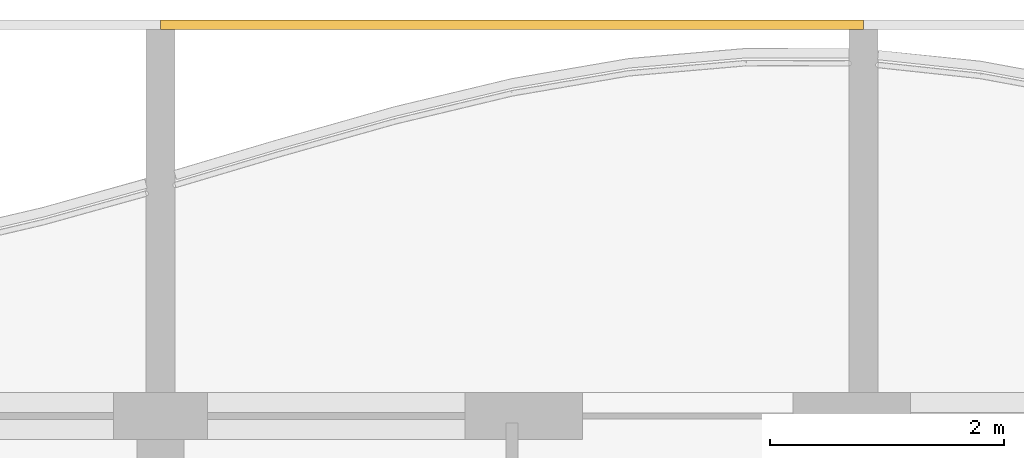
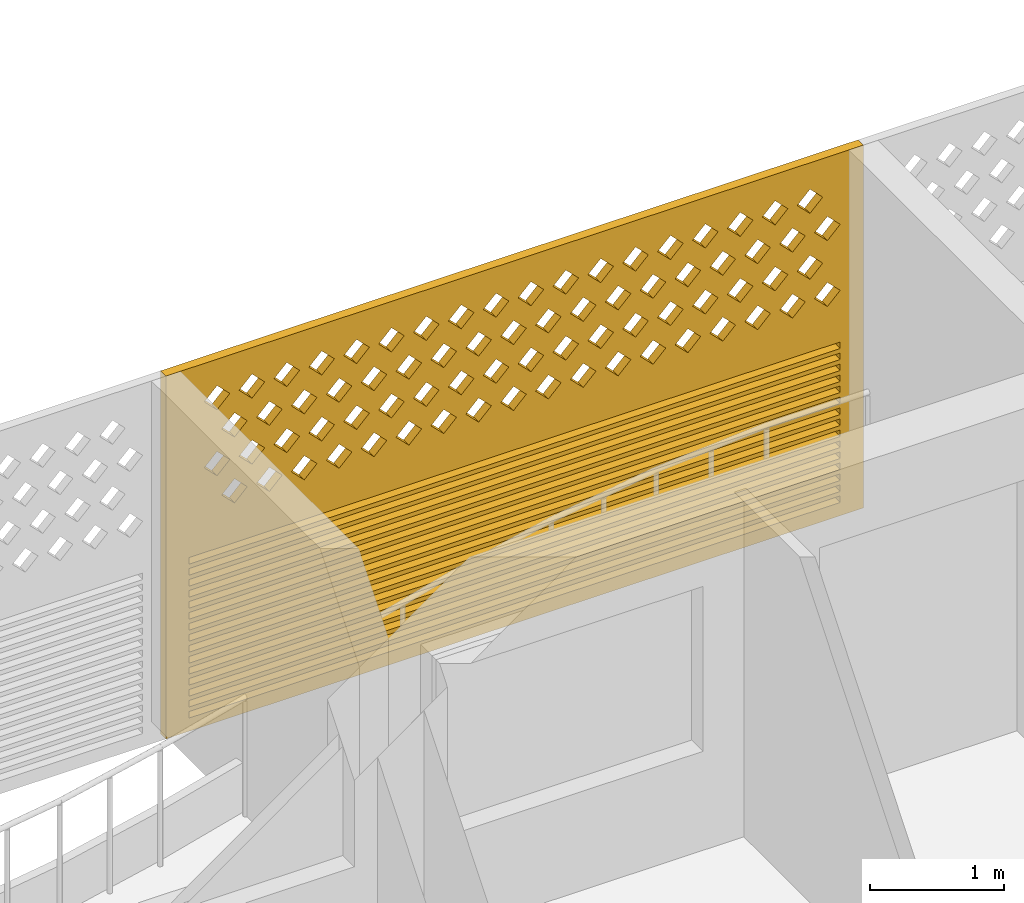
# One storey, part 36 of 40: 1 covering.
"""IFC4 building model written with IfcOpenShell, lengths in metres."""

import ifcopenshell
import ifcopenshell.guid

model = None  # the IFC model being written
_history = None  # IfcOwnerHistory: only IFC2X3 demands one
_inside = {}  # id of a spatial element -> (the spatial element, [elements in it])
_under = {}  # id of a project, library or spatial element -> (it, [spatial elements below it])
_declared = {}  # id of a project -> (the project, [libraries it declares])
_typed = {}  # id of a type object -> (the type object, [elements of that type])
_made_of = {}  # id of a material, layer set ... -> (it, [elements and type objects made of it])


def new_model(schema):
    """Start an empty IFC model of exactly this schema.

    Asked for "IFC4X3", IfcOpenShell would pick the latest addendum, in which some entities
    have other attributes; the version numbers below select the first issue.
    IFC2X3 requires an IfcOwnerHistory on every rooted entity: one is made here for all.
    """
    global model, _history
    if schema == "IFC4X3":
        model = ifcopenshell.file(schema_version=(4, 3, 0, 0))
    else:
        model = ifcopenshell.file(schema=schema)
    _inside.clear()
    _under.clear()
    _declared.clear()
    _typed.clear()
    _made_of.clear()
    _history = None
    if model.schema == "IFC2X3":
        org = make("IfcOrganization", Name="unknown")
        user = make(
            "IfcPersonAndOrganization",
            ThePerson=make("IfcPerson", FamilyName="unknown"),
            TheOrganization=org,
        )
        app = make(
            "IfcApplication",
            ApplicationDeveloper=org,
            Version="unknown",
            ApplicationFullName="unknown",
            ApplicationIdentifier="unknown",
        )
        _history = make(
            "IfcOwnerHistory",
            OwningUser=user,
            OwningApplication=app,
            ChangeAction="ADDED",
            CreationDate=0,
        )
    return model


def make(cls, **values):
    """One entity of the class cls with the attributes given. An attribute that is None is left unset."""
    return model.create_entity(
        cls, **{name: value for name, value in values.items() if value is not None}
    )


def rooted(cls, **values):
    """An entity with a GlobalId (a new one), such as an element, a storey or a relation."""
    return make(cls, GlobalId=ifcopenshell.guid.new(), OwnerHistory=_history, **values)


def si_unit(unit_type, name, prefix=None):
    """IfcSIUnit, for example si_unit("LENGTHUNIT", "METRE", prefix="MILLI")."""
    return make("IfcSIUnit", UnitType=unit_type, Prefix=prefix, Name=name)


def assignment(units):
    """IfcUnitAssignment: the units of a project."""
    return None if units is None else make("IfcUnitAssignment", Units=units)


def point(xyz):
    """IfcCartesianPoint."""
    return None if xyz is None else make("IfcCartesianPoint", Coordinates=xyz)


def direction(xyz):
    """IfcDirection."""
    return None if xyz is None else make("IfcDirection", DirectionRatios=xyz)


def frame(location, z_axis=None, x_axis=None):
    """IfcAxis2Placement3D, a coordinate frame: its origin and axes. An axis left out is left unset."""
    return make(
        "IfcAxis2Placement3D",
        Location=point(location),
        Axis=direction(z_axis),
        RefDirection=direction(x_axis),
    )


def origin():
    """The frame at (0, 0, 0) with its axes left unset."""
    return frame((0.0, 0.0, 0.0))


def place(relative_to, where):
    """IfcLocalPlacement: puts the frame where relative to a parent placement (None: the world)."""
    return make(
        "IfcLocalPlacement", PlacementRelTo=relative_to, RelativePlacement=where
    )


def context(
    kind, dimensions, precision=None, world=None, true_north=None, identifier=None
):
    """IfcGeometricRepresentationContext, for example the 3D "Model" context."""
    return make(
        "IfcGeometricRepresentationContext",
        ContextIdentifier=identifier,
        ContextType=kind,
        CoordinateSpaceDimension=dimensions,
        Precision=precision,
        WorldCoordinateSystem=world,
        TrueNorth=true_north,
    )


def subcontext(parent, identifier, kind, view, scale=None):
    """IfcGeometricRepresentationSubContext, for example "Body" below "Model"."""
    return make(
        "IfcGeometricRepresentationSubContext",
        ContextIdentifier=identifier,
        ContextType=kind,
        ParentContext=parent,
        TargetScale=scale,
        TargetView=view,
    )


def project(units=None, contexts=None):
    """IfcProject with its units and contexts."""
    return rooted(
        "IfcProject",
        Name="project",
        RepresentationContexts=contexts,
        UnitsInContext=assignment(units),
    )


def spatial(cls, under=None, at=None, **own):
    """A site, building, storey or space (cls), placed at a placement, below another one or the project."""
    s = rooted(cls, ObjectPlacement=at, **own)
    if under is not None:
        _under.setdefault(under.id(), (under, []))[1].append(s)
    return s


def polyline(points):
    """IfcPolyline through the points."""
    return make("IfcPolyline", Points=[point(p) for p in points])


def outline(outer, holes=None, kind="AREA"):
    """IfcArbitraryClosedProfileDef: a profile drawn as a closed curve; with holes, ...WithVoids."""
    if holes is None:
        return make("IfcArbitraryClosedProfileDef", ProfileType=kind, OuterCurve=outer)
    return make(
        "IfcArbitraryProfileDefWithVoids",
        ProfileType=kind,
        OuterCurve=outer,
        InnerCurves=holes,
    )


def extrude(swept, where, along, depth):
    """IfcExtrudedAreaSolid: the profile swept, set in the frame where, extruded along a direction by depth."""
    return make(
        "IfcExtrudedAreaSolid",
        SweptArea=swept,
        Position=where,
        ExtrudedDirection=direction(along),
        Depth=depth,
    )


def shape(context_of_items, identifier, shape_type, items):
    """IfcShapeRepresentation: the items that make up one representation, for example the "Body"."""
    return make(
        "IfcShapeRepresentation",
        ContextOfItems=context_of_items,
        RepresentationIdentifier=identifier,
        RepresentationType=shape_type,
        Items=items,
    )


def source(mapping_origin, context_of_items, identifier, shape_type, items):
    """IfcRepresentationMap: a shape defined once, which mapped items show again and again."""
    return make(
        "IfcRepresentationMap",
        MappingOrigin=mapping_origin,
        MappedRepresentation=shape(context_of_items, identifier, shape_type, items),
    )


def transform(
    local_origin,
    x_axis=None,
    y_axis=None,
    z_axis=None,
    scale=None,
    scale2=None,
    scale3=None,
    uniform=True,
):
    """IfcCartesianTransformationOperator3D, or its non-uniform kind. x_axis, y_axis, z_axis: its Axis1, 2, 3."""
    if uniform:
        return make(
            "IfcCartesianTransformationOperator3D",
            Axis1=direction(x_axis),
            Axis2=direction(y_axis),
            LocalOrigin=point(local_origin),
            Scale=scale,
            Axis3=direction(z_axis),
        )
    return make(
        "IfcCartesianTransformationOperator3DnonUniform",
        Axis1=direction(x_axis),
        Axis2=direction(y_axis),
        LocalOrigin=point(local_origin),
        Scale=scale,
        Axis3=direction(z_axis),
        Scale2=scale2,
        Scale3=scale3,
    )


def mapped(mapping_source, mapping_target):
    """IfcMappedItem: shows the shape of a source again, moved by a transform."""
    return make(
        "IfcMappedItem", MappingSource=mapping_source, MappingTarget=mapping_target
    )


def material(Name=None, Category=None):
    """IfcMaterial."""
    return make("IfcMaterial", Name=Name, Category=Category)


def material_profile(
    of_material, cross_section, Name=None, Category=None, Priority=None
):
    """IfcMaterialProfile: a cross section and its material."""
    return make(
        "IfcMaterialProfile",
        Name=Name,
        Material=of_material,
        Profile=cross_section,
        Priority=Priority,
        Category=Category,
    )


def profile_set(profiles, Name=None, composite=None):
    """IfcMaterialProfileSet."""
    return make(
        "IfcMaterialProfileSet",
        Name=Name,
        MaterialProfiles=profiles,
        CompositeProfile=composite,
    )


def made_of(thing, what):
    """Note that an element or type object is made of a material, layer set ...; save() writes the relation."""
    if what is not None:
        _made_of.setdefault(what.id(), (what, []))[1].append(thing)
    return thing


def type_object(cls, material=None, **own):
    """A type object (cls), such as IfcWallType, which elements share."""
    return made_of(rooted(cls, **own), material)


def element(
    cls,
    number,
    at=None,
    inside=None,
    cuts=None,
    type_object=None,
    material=None,
    context=None,
    identifier="Body",
    shape_type=None,
    held_by="IfcProductDefinitionShape",
    body=None,
    shapes=None,
    **own,
):
    """One element of the class cls, such as IfcWall. Its Tag is "e" and its number.

    at: its placement. inside: the storey or other place that contains it. cuts: it is an
    opening in that element (IfcRelVoidsElement). A single representation is given by context,
    identifier, shape_type and body (its items); several are given by shapes. held_by: the class
    of the entity that holds the representations. save() writes the other relations.
    """
    e = rooted(cls, Tag="e%d" % number, ObjectPlacement=at, **own)
    if body is not None:
        shapes = [shape(context, identifier, shape_type, body)]
    if shapes is not None:
        e.Representation = make(held_by, Representations=shapes)
    if inside is not None:
        _inside.setdefault(inside.id(), (inside, []))[1].append(e)
    if cuts is not None:
        rooted(
            "IfcRelVoidsElement", RelatingBuildingElement=cuts, RelatedOpeningElement=e
        )
    if type_object is not None:
        _typed.setdefault(type_object.id(), (type_object, []))[1].append(e)
    return made_of(e, material)


def aggregate(whole, parts):
    """IfcRelAggregates: a whole, such as a stair, and the parts it consists of."""
    return rooted("IfcRelAggregates", RelatingObject=whole, RelatedObjects=parts)


def save(model, path):
    """Write the relations noted so far, then the file.

    IfcRelAggregates (storeys below a building ...), IfcRelContainedInSpatialStructure (elements
    in a storey), IfcRelDefinesByType, IfcRelAssociatesMaterial and IfcRelDeclares: one each for
    every whole, place, type object, material and project.
    """
    for whole, parts in _under.values():
        aggregate(whole, parts)
    for where, things in _inside.values():
        rooted(
            "IfcRelContainedInSpatialStructure",
            RelatedElements=things,
            RelatingStructure=where,
        )
    for kind, things in _typed.values():
        rooted("IfcRelDefinesByType", RelatedObjects=things, RelatingType=kind)
    for what, things in _made_of.values():
        rooted("IfcRelAssociatesMaterial", RelatedObjects=things, RelatingMaterial=what)
    for by, libraries in _declared.values():
        rooted("IfcRelDeclares", RelatingContext=by, RelatedDefinitions=libraries)
    model.write(path)


model = new_model("IFC4")

# Units and contexts
model_context = context("Model", 3, precision=1e-05, world=origin(), true_north=direction((0.0, 1.0)))
body_context = subcontext(model_context, "Body", "Model", "MODEL_VIEW")
ifc_project = project(units=[si_unit("LENGTHUNIT", "METRE"), si_unit("AREAUNIT", "SQUARE_METRE"), si_unit("VOLUMEUNIT", "CUBIC_METRE"), si_unit("PLANEANGLEUNIT", "RADIAN"), si_unit("MASSUNIT", "GRAM", prefix="KILO")], contexts=[model_context])

# Site, building, storey
site_placement = place(None, origin())
site = spatial("IfcSite", under=ifc_project, at=site_placement, CompositionType="ELEMENT")
building_placement = place(site_placement, origin())
building = spatial("IfcBuilding", under=site, at=building_placement, Name="Poui Terraces", CompositionType="ELEMENT")
storey_placement = place(building_placement, frame((0.0, 0.0, 39.89990234375)))
storey = spatial("IfcBuildingStorey", under=building, at=storey_placement, Name="L10", CompositionType="ELEMENT", Elevation=39.89990234375)

# Covering
ifc_material = material(Name="Terracotta screen", Category="masonry")
ifc_material_profile = material_profile(ifc_material, outline(polyline([(-3.0, -1.64990234375), (3.0, -1.64990234375), (3.0, 1.64990234375), (-3.0, 1.64990234375), (-3.0, -1.64990234375)]), holes=[polyline([(-2.800048828125, 0.39990234375), (-2.68994140625, 0.2900390625), (-2.580078125, 0.39990234375), (-2.68994140625, 0.510009765625), (-2.800048828125, 0.39990234375)]), polyline([(-2.5, 0.39990234375), (-2.389892578125, 0.2900390625), (-2.280029296875, 0.39990234375), (-2.389892578125, 0.510009765625), (-2.5, 0.39990234375)]), polyline([(-2.199951171875, 0.39990234375), (-2.090087890625, 0.2900390625), (-1.97998046875, 0.39990234375), (-2.090087890625, 0.510009765625), (-2.199951171875, 0.39990234375)]), polyline([(-1.89990234375, 0.39990234375), (-1.7900390625, 0.2900390625), (-1.679931640625, 0.39990234375), (-1.7900390625, 0.510009765625), (-1.89990234375, 0.39990234375)]), polyline([(-1.60009765625, 0.39990234375), (-1.489990234375, 0.2900390625), (-1.3798828125, 0.39990234375), (-1.489990234375, 0.510009765625), (-1.60009765625, 0.39990234375)]), polyline([(-1.300048828125, 0.39990234375), (-1.18994140625, 0.2900390625), (-1.080078125, 0.39990234375), (-1.18994140625, 0.510009765625), (-1.300048828125, 0.39990234375)]), polyline([(-1.0, 0.39990234375), (-0.889892578125, 0.2900390625), (-0.780029296875, 0.39990234375), (-0.889892578125, 0.510009765625), (-1.0, 0.39990234375)]), polyline([(-0.699951171875, 0.39990234375), (-0.590087890625, 0.2900390625), (-0.47998046875, 0.39990234375), (-0.590087890625, 0.510009765625), (-0.699951171875, 0.39990234375)]), polyline([(-0.39990234375, 0.39990234375), (-0.2900390625, 0.2900390625), (-0.179931640625, 0.39990234375), (-0.2900390625, 0.510009765625), (-0.39990234375, 0.39990234375)]), polyline([(-0.10009765625, 0.39990234375), (0.010009765625, 0.2900390625), (0.1201171875, 0.39990234375), (0.010009765625, 0.510009765625), (-0.10009765625, 0.39990234375)]), polyline([(0.199951171875, 0.39990234375), (0.31005859375, 0.2900390625), (0.419921875, 0.39990234375), (0.31005859375, 0.510009765625), (0.199951171875, 0.39990234375)]), polyline([(0.5, 0.39990234375), (0.610107421875, 0.2900390625), (0.719970703125, 0.39990234375), (0.610107421875, 0.510009765625), (0.5, 0.39990234375)]), polyline([(0.800048828125, 0.39990234375), (0.909912109375, 0.2900390625), (1.02001953125, 0.39990234375), (0.909912109375, 0.510009765625), (0.800048828125, 0.39990234375)]), polyline([(1.10009765625, 0.39990234375), (1.2099609375, 0.2900390625), (1.320068359375, 0.39990234375), (1.2099609375, 0.510009765625), (1.10009765625, 0.39990234375)]), polyline([(1.39990234375, 0.39990234375), (1.510009765625, 0.2900390625), (1.6201171875, 0.39990234375), (1.510009765625, 0.510009765625), (1.39990234375, 0.39990234375)]), polyline([(1.699951171875, 0.39990234375), (1.81005859375, 0.2900390625), (1.919921875, 0.39990234375), (1.81005859375, 0.510009765625), (1.699951171875, 0.39990234375)]), polyline([(2.0, 0.39990234375), (2.110107421875, 0.2900390625), (2.219970703125, 0.39990234375), (2.110107421875, 0.510009765625), (2.0, 0.39990234375)]), polyline([(2.300048828125, 0.39990234375), (2.409912109375, 0.2900390625), (2.52001953125, 0.39990234375), (2.409912109375, 0.510009765625), (2.300048828125, 0.39990234375)]), polyline([(-2.64990234375, 0.699951171875), (-2.5400390625, 0.590087890625), (-2.429931640625, 0.699951171875), (-2.5400390625, 0.81005859375), (-2.64990234375, 0.699951171875)]), polyline([(-2.35009765625, 0.699951171875), (-2.239990234375, 0.590087890625), (-2.1298828125, 0.699951171875), (-2.239990234375, 0.81005859375), (-2.35009765625, 0.699951171875)]), polyline([(-2.050048828125, 0.699951171875), (-1.93994140625, 0.590087890625), (-1.830078125, 0.699951171875), (-1.93994140625, 0.81005859375), (-2.050048828125, 0.699951171875)]), polyline([(-1.75, 0.699951171875), (-1.639892578125, 0.590087890625), (-1.530029296875, 0.699951171875), (-1.639892578125, 0.81005859375), (-1.75, 0.699951171875)]), polyline([(-1.449951171875, 0.699951171875), (-1.340087890625, 0.590087890625), (-1.22998046875, 0.699951171875), (-1.340087890625, 0.81005859375), (-1.449951171875, 0.699951171875)]), polyline([(-1.14990234375, 0.699951171875), (-1.0400390625, 0.590087890625), (-0.929931640625, 0.699951171875), (-1.0400390625, 0.81005859375), (-1.14990234375, 0.699951171875)]), polyline([(-0.85009765625, 0.699951171875), (-0.739990234375, 0.590087890625), (-0.6298828125, 0.699951171875), (-0.739990234375, 0.81005859375), (-0.85009765625, 0.699951171875)]), polyline([(-0.550048828125, 0.699951171875), (-0.43994140625, 0.590087890625), (-0.330078125, 0.699951171875), (-0.43994140625, 0.81005859375), (-0.550048828125, 0.699951171875)]), polyline([(-0.25, 0.699951171875), (-0.139892578125, 0.590087890625), (-0.030029296875, 0.699951171875), (-0.139892578125, 0.81005859375), (-0.25, 0.699951171875)]), polyline([(0.050048828125, 0.699951171875), (0.159912109375, 0.590087890625), (0.27001953125, 0.699951171875), (0.159912109375, 0.81005859375), (0.050048828125, 0.699951171875)]), polyline([(0.35009765625, 0.699951171875), (0.4599609375, 0.590087890625), (0.570068359375, 0.699951171875), (0.4599609375, 0.81005859375), (0.35009765625, 0.699951171875)]), polyline([(0.64990234375, 0.699951171875), (0.760009765625, 0.590087890625), (0.8701171875, 0.699951171875), (0.760009765625, 0.81005859375), (0.64990234375, 0.699951171875)]), polyline([(0.949951171875, 0.699951171875), (1.06005859375, 0.590087890625), (1.169921875, 0.699951171875), (1.06005859375, 0.81005859375), (0.949951171875, 0.699951171875)]), polyline([(1.25, 0.699951171875), (1.360107421875, 0.590087890625), (1.469970703125, 0.699951171875), (1.360107421875, 0.81005859375), (1.25, 0.699951171875)]), polyline([(1.550048828125, 0.699951171875), (1.659912109375, 0.590087890625), (1.77001953125, 0.699951171875), (1.659912109375, 0.81005859375), (1.550048828125, 0.699951171875)]), polyline([(1.85009765625, 0.699951171875), (1.9599609375, 0.590087890625), (2.070068359375, 0.699951171875), (1.9599609375, 0.81005859375), (1.85009765625, 0.699951171875)]), polyline([(2.14990234375, 0.699951171875), (2.260009765625, 0.590087890625), (2.3701171875, 0.699951171875), (2.260009765625, 0.81005859375), (2.14990234375, 0.699951171875)]), polyline([(2.449951171875, 0.699951171875), (2.56005859375, 0.590087890625), (2.669921875, 0.699951171875), (2.56005859375, 0.81005859375), (2.449951171875, 0.699951171875)]), polyline([(-2.800048828125, 1.0), (-2.68994140625, 0.889892578125), (-2.580078125, 1.0), (-2.68994140625, 1.110107421875), (-2.800048828125, 1.0)]), polyline([(-2.5, 1.0), (-2.389892578125, 0.889892578125), (-2.280029296875, 1.0), (-2.389892578125, 1.110107421875), (-2.5, 1.0)]), polyline([(-2.199951171875, 1.0), (-2.090087890625, 0.889892578125), (-1.97998046875, 1.0), (-2.090087890625, 1.110107421875), (-2.199951171875, 1.0)]), polyline([(-1.89990234375, 1.0), (-1.7900390625, 0.889892578125), (-1.679931640625, 1.0), (-1.7900390625, 1.110107421875), (-1.89990234375, 1.0)]), polyline([(-1.60009765625, 1.0), (-1.489990234375, 0.889892578125), (-1.3798828125, 1.0), (-1.489990234375, 1.110107421875), (-1.60009765625, 1.0)]), polyline([(-1.300048828125, 1.0), (-1.18994140625, 0.889892578125), (-1.080078125, 1.0), (-1.18994140625, 1.110107421875), (-1.300048828125, 1.0)]), polyline([(-1.0, 1.0), (-0.889892578125, 0.889892578125), (-0.780029296875, 1.0), (-0.889892578125, 1.110107421875), (-1.0, 1.0)]), polyline([(-0.699951171875, 1.0), (-0.590087890625, 0.889892578125), (-0.47998046875, 1.0), (-0.590087890625, 1.110107421875), (-0.699951171875, 1.0)]), polyline([(-0.39990234375, 1.0), (-0.2900390625, 0.889892578125), (-0.179931640625, 1.0), (-0.2900390625, 1.110107421875), (-0.39990234375, 1.0)]), polyline([(-0.10009765625, 1.0), (0.010009765625, 0.889892578125), (0.1201171875, 1.0), (0.010009765625, 1.110107421875), (-0.10009765625, 1.0)]), polyline([(0.199951171875, 1.0), (0.31005859375, 0.889892578125), (0.419921875, 1.0), (0.31005859375, 1.110107421875), (0.199951171875, 1.0)]), polyline([(0.5, 1.0), (0.610107421875, 0.889892578125), (0.719970703125, 1.0), (0.610107421875, 1.110107421875), (0.5, 1.0)]), polyline([(0.800048828125, 1.0), (0.909912109375, 0.889892578125), (1.02001953125, 1.0), (0.909912109375, 1.110107421875), (0.800048828125, 1.0)]), polyline([(1.10009765625, 1.0), (1.2099609375, 0.889892578125), (1.320068359375, 1.0), (1.2099609375, 1.110107421875), (1.10009765625, 1.0)]), polyline([(1.39990234375, 1.0), (1.510009765625, 0.889892578125), (1.6201171875, 1.0), (1.510009765625, 1.110107421875), (1.39990234375, 1.0)]), polyline([(1.699951171875, 1.0), (1.81005859375, 0.889892578125), (1.919921875, 1.0), (1.81005859375, 1.110107421875), (1.699951171875, 1.0)]), polyline([(2.0, 1.0), (2.110107421875, 0.889892578125), (2.219970703125, 1.0), (2.110107421875, 1.110107421875), (2.0, 1.0)]), polyline([(2.300048828125, 1.0), (2.409912109375, 0.889892578125), (2.52001953125, 1.0), (2.409912109375, 1.110107421875), (2.300048828125, 1.0)]), polyline([(-2.64990234375, 1.300048828125), (-2.5400390625, 1.18994140625), (-2.429931640625, 1.300048828125), (-2.5400390625, 1.409912109375), (-2.64990234375, 1.300048828125)]), polyline([(-2.35009765625, 1.300048828125), (-2.239990234375, 1.18994140625), (-2.1298828125, 1.300048828125), (-2.239990234375, 1.409912109375), (-2.35009765625, 1.300048828125)]), polyline([(-2.050048828125, 1.300048828125), (-1.93994140625, 1.18994140625), (-1.830078125, 1.300048828125), (-1.93994140625, 1.409912109375), (-2.050048828125, 1.300048828125)]), polyline([(-1.75, 1.300048828125), (-1.639892578125, 1.18994140625), (-1.530029296875, 1.300048828125), (-1.639892578125, 1.409912109375), (-1.75, 1.300048828125)]), polyline([(-1.449951171875, 1.300048828125), (-1.340087890625, 1.18994140625), (-1.22998046875, 1.300048828125), (-1.340087890625, 1.409912109375), (-1.449951171875, 1.300048828125)]), polyline([(-1.14990234375, 1.300048828125), (-1.0400390625, 1.18994140625), (-0.929931640625, 1.300048828125), (-1.0400390625, 1.409912109375), (-1.14990234375, 1.300048828125)]), polyline([(-0.85009765625, 1.300048828125), (-0.739990234375, 1.18994140625), (-0.6298828125, 1.300048828125), (-0.739990234375, 1.409912109375), (-0.85009765625, 1.300048828125)]), polyline([(-0.550048828125, 1.300048828125), (-0.43994140625, 1.18994140625), (-0.330078125, 1.300048828125), (-0.43994140625, 1.409912109375), (-0.550048828125, 1.300048828125)]), polyline([(-0.25, 1.300048828125), (-0.139892578125, 1.18994140625), (-0.030029296875, 1.300048828125), (-0.139892578125, 1.409912109375), (-0.25, 1.300048828125)]), polyline([(0.050048828125, 1.300048828125), (0.159912109375, 1.18994140625), (0.27001953125, 1.300048828125), (0.159912109375, 1.409912109375), (0.050048828125, 1.300048828125)]), polyline([(0.35009765625, 1.300048828125), (0.4599609375, 1.18994140625), (0.570068359375, 1.300048828125), (0.4599609375, 1.409912109375), (0.35009765625, 1.300048828125)]), polyline([(0.64990234375, 1.300048828125), (0.760009765625, 1.18994140625), (0.8701171875, 1.300048828125), (0.760009765625, 1.409912109375), (0.64990234375, 1.300048828125)]), polyline([(0.949951171875, 1.300048828125), (1.06005859375, 1.18994140625), (1.169921875, 1.300048828125), (1.06005859375, 1.409912109375), (0.949951171875, 1.300048828125)]), polyline([(1.25, 1.300048828125), (1.360107421875, 1.18994140625), (1.469970703125, 1.300048828125), (1.360107421875, 1.409912109375), (1.25, 1.300048828125)]), polyline([(1.550048828125, 1.300048828125), (1.659912109375, 1.18994140625), (1.77001953125, 1.300048828125), (1.659912109375, 1.409912109375), (1.550048828125, 1.300048828125)]), polyline([(1.85009765625, 1.300048828125), (1.9599609375, 1.18994140625), (2.070068359375, 1.300048828125), (1.9599609375, 1.409912109375), (1.85009765625, 1.300048828125)]), polyline([(2.14990234375, 1.300048828125), (2.260009765625, 1.18994140625), (2.3701171875, 1.300048828125), (2.260009765625, 1.409912109375), (2.14990234375, 1.300048828125)]), polyline([(2.449951171875, 1.300048828125), (2.56005859375, 1.18994140625), (2.669921875, 1.300048828125), (2.56005859375, 1.409912109375), (2.449951171875, 1.300048828125)]), polyline([(-2.800048828125, -1.530029296875), (2.800048828125, -1.530029296875), (2.800048828125, -1.469970703125), (-2.800048828125, -1.469970703125), (-2.800048828125, -1.530029296875)]), polyline([(-2.800048828125, -1.429931640625), (2.800048828125, -1.429931640625), (2.800048828125, -1.3701171875), (-2.800048828125, -1.3701171875), (-2.800048828125, -1.429931640625)]), polyline([(-2.800048828125, -1.330078125), (2.800048828125, -1.330078125), (2.800048828125, -1.27001953125), (-2.800048828125, -1.27001953125), (-2.800048828125, -1.330078125)]), polyline([(-2.800048828125, -1.22998046875), (2.800048828125, -1.22998046875), (2.800048828125, -1.169921875), (-2.800048828125, -1.169921875), (-2.800048828125, -1.22998046875)]), polyline([(-2.800048828125, -1.1298828125), (2.800048828125, -1.1298828125), (2.800048828125, -1.070068359375), (-2.800048828125, -1.070068359375), (-2.800048828125, -1.1298828125)]), polyline([(-2.800048828125, -1.030029296875), (2.800048828125, -1.030029296875), (2.800048828125, -0.969970703125), (-2.800048828125, -0.969970703125), (-2.800048828125, -1.030029296875)]), polyline([(-2.800048828125, -0.929931640625), (2.800048828125, -0.929931640625), (2.800048828125, -0.8701171875), (-2.800048828125, -0.8701171875), (-2.800048828125, -0.929931640625)]), polyline([(-2.800048828125, -0.830078125), (2.800048828125, -0.830078125), (2.800048828125, -0.77001953125), (-2.800048828125, -0.77001953125), (-2.800048828125, -0.830078125)]), polyline([(-2.800048828125, -0.72998046875), (2.800048828125, -0.72998046875), (2.800048828125, -0.669921875), (-2.800048828125, -0.669921875), (-2.800048828125, -0.72998046875)]), polyline([(-2.800048828125, -0.6298828125), (2.800048828125, -0.6298828125), (2.800048828125, -0.570068359375), (-2.800048828125, -0.570068359375), (-2.800048828125, -0.6298828125)]), polyline([(-2.800048828125, -0.530029296875), (2.800048828125, -0.530029296875), (2.800048828125, -0.469970703125), (-2.800048828125, -0.469970703125), (-2.800048828125, -0.530029296875)]), polyline([(-2.800048828125, -0.429931640625), (2.800048828125, -0.429931640625), (2.800048828125, -0.3701171875), (-2.800048828125, -0.3701171875), (-2.800048828125, -0.429931640625)]), polyline([(-2.800048828125, -0.330078125), (2.800048828125, -0.330078125), (2.800048828125, -0.27001953125), (-2.800048828125, -0.27001953125), (-2.800048828125, -0.330078125)]), polyline([(-2.800048828125, -0.22998046875), (2.800048828125, -0.22998046875), (2.800048828125, -0.169921875), (-2.800048828125, -0.169921875), (-2.800048828125, -0.22998046875)]), polyline([(-2.800048828125, -0.1298828125), (2.800048828125, -0.1298828125), (2.800048828125, -0.070068359375), (-2.800048828125, -0.070068359375), (-2.800048828125, -0.1298828125)])]), Name="TERRACOTTA SCREEN AND JALOUSIE LOUVRE 6000X3300")
ifc_profile_set = profile_set([ifc_material_profile], Name="Terracotta screen")
covering_type = type_object("IfcCoveringType", Name="TERRACOTTA SCREEN AND JALOUSIE LOUVRE 6000X3300", PredefinedType="CLADDING", material=ifc_profile_set)
shared_shape = source(origin(), body_context, "Body", "SweptSolid", [
    extrude(outline(polyline([(-3.0, -1.64990234375), (3.0, -1.64990234375), (3.0, 1.64990234375), (-3.0, 1.64990234375), (-3.0, -1.64990234375)]), holes=[polyline([(-2.800048828125, 0.39990234375), (-2.68994140625, 0.2900390625), (-2.580078125, 0.39990234375), (-2.68994140625, 0.510009765625), (-2.800048828125, 0.39990234375)]), polyline([(-2.5, 0.39990234375), (-2.389892578125, 0.2900390625), (-2.280029296875, 0.39990234375), (-2.389892578125, 0.510009765625), (-2.5, 0.39990234375)]), polyline([(-2.199951171875, 0.39990234375), (-2.090087890625, 0.2900390625), (-1.97998046875, 0.39990234375), (-2.090087890625, 0.510009765625), (-2.199951171875, 0.39990234375)]), polyline([(-1.89990234375, 0.39990234375), (-1.7900390625, 0.2900390625), (-1.679931640625, 0.39990234375), (-1.7900390625, 0.510009765625), (-1.89990234375, 0.39990234375)]), polyline([(-1.60009765625, 0.39990234375), (-1.489990234375, 0.2900390625), (-1.3798828125, 0.39990234375), (-1.489990234375, 0.510009765625), (-1.60009765625, 0.39990234375)]), polyline([(-1.300048828125, 0.39990234375), (-1.18994140625, 0.2900390625), (-1.080078125, 0.39990234375), (-1.18994140625, 0.510009765625), (-1.300048828125, 0.39990234375)]), polyline([(-1.0, 0.39990234375), (-0.889892578125, 0.2900390625), (-0.780029296875, 0.39990234375), (-0.889892578125, 0.510009765625), (-1.0, 0.39990234375)]), polyline([(-0.699951171875, 0.39990234375), (-0.590087890625, 0.2900390625), (-0.47998046875, 0.39990234375), (-0.590087890625, 0.510009765625), (-0.699951171875, 0.39990234375)]), polyline([(-0.39990234375, 0.39990234375), (-0.2900390625, 0.2900390625), (-0.179931640625, 0.39990234375), (-0.2900390625, 0.510009765625), (-0.39990234375, 0.39990234375)]), polyline([(-0.10009765625, 0.39990234375), (0.010009765625, 0.2900390625), (0.1201171875, 0.39990234375), (0.010009765625, 0.510009765625), (-0.10009765625, 0.39990234375)]), polyline([(0.199951171875, 0.39990234375), (0.31005859375, 0.2900390625), (0.419921875, 0.39990234375), (0.31005859375, 0.510009765625), (0.199951171875, 0.39990234375)]), polyline([(0.5, 0.39990234375), (0.610107421875, 0.2900390625), (0.719970703125, 0.39990234375), (0.610107421875, 0.510009765625), (0.5, 0.39990234375)]), polyline([(0.800048828125, 0.39990234375), (0.909912109375, 0.2900390625), (1.02001953125, 0.39990234375), (0.909912109375, 0.510009765625), (0.800048828125, 0.39990234375)]), polyline([(1.10009765625, 0.39990234375), (1.2099609375, 0.2900390625), (1.320068359375, 0.39990234375), (1.2099609375, 0.510009765625), (1.10009765625, 0.39990234375)]), polyline([(1.39990234375, 0.39990234375), (1.510009765625, 0.2900390625), (1.6201171875, 0.39990234375), (1.510009765625, 0.510009765625), (1.39990234375, 0.39990234375)]), polyline([(1.699951171875, 0.39990234375), (1.81005859375, 0.2900390625), (1.919921875, 0.39990234375), (1.81005859375, 0.510009765625), (1.699951171875, 0.39990234375)]), polyline([(2.0, 0.39990234375), (2.110107421875, 0.2900390625), (2.219970703125, 0.39990234375), (2.110107421875, 0.510009765625), (2.0, 0.39990234375)]), polyline([(2.300048828125, 0.39990234375), (2.409912109375, 0.2900390625), (2.52001953125, 0.39990234375), (2.409912109375, 0.510009765625), (2.300048828125, 0.39990234375)]), polyline([(-2.64990234375, 0.699951171875), (-2.5400390625, 0.590087890625), (-2.429931640625, 0.699951171875), (-2.5400390625, 0.81005859375), (-2.64990234375, 0.699951171875)]), polyline([(-2.35009765625, 0.699951171875), (-2.239990234375, 0.590087890625), (-2.1298828125, 0.699951171875), (-2.239990234375, 0.81005859375), (-2.35009765625, 0.699951171875)]), polyline([(-2.050048828125, 0.699951171875), (-1.93994140625, 0.590087890625), (-1.830078125, 0.699951171875), (-1.93994140625, 0.81005859375), (-2.050048828125, 0.699951171875)]), polyline([(-1.75, 0.699951171875), (-1.639892578125, 0.590087890625), (-1.530029296875, 0.699951171875), (-1.639892578125, 0.81005859375), (-1.75, 0.699951171875)]), polyline([(-1.449951171875, 0.699951171875), (-1.340087890625, 0.590087890625), (-1.22998046875, 0.699951171875), (-1.340087890625, 0.81005859375), (-1.449951171875, 0.699951171875)]), polyline([(-1.14990234375, 0.699951171875), (-1.0400390625, 0.590087890625), (-0.929931640625, 0.699951171875), (-1.0400390625, 0.81005859375), (-1.14990234375, 0.699951171875)]), polyline([(-0.85009765625, 0.699951171875), (-0.739990234375, 0.590087890625), (-0.6298828125, 0.699951171875), (-0.739990234375, 0.81005859375), (-0.85009765625, 0.699951171875)]), polyline([(-0.550048828125, 0.699951171875), (-0.43994140625, 0.590087890625), (-0.330078125, 0.699951171875), (-0.43994140625, 0.81005859375), (-0.550048828125, 0.699951171875)]), polyline([(-0.25, 0.699951171875), (-0.139892578125, 0.590087890625), (-0.030029296875, 0.699951171875), (-0.139892578125, 0.81005859375), (-0.25, 0.699951171875)]), polyline([(0.050048828125, 0.699951171875), (0.159912109375, 0.590087890625), (0.27001953125, 0.699951171875), (0.159912109375, 0.81005859375), (0.050048828125, 0.699951171875)]), polyline([(0.35009765625, 0.699951171875), (0.4599609375, 0.590087890625), (0.570068359375, 0.699951171875), (0.4599609375, 0.81005859375), (0.35009765625, 0.699951171875)]), polyline([(0.64990234375, 0.699951171875), (0.760009765625, 0.590087890625), (0.8701171875, 0.699951171875), (0.760009765625, 0.81005859375), (0.64990234375, 0.699951171875)]), polyline([(0.949951171875, 0.699951171875), (1.06005859375, 0.590087890625), (1.169921875, 0.699951171875), (1.06005859375, 0.81005859375), (0.949951171875, 0.699951171875)]), polyline([(1.25, 0.699951171875), (1.360107421875, 0.590087890625), (1.469970703125, 0.699951171875), (1.360107421875, 0.81005859375), (1.25, 0.699951171875)]), polyline([(1.550048828125, 0.699951171875), (1.659912109375, 0.590087890625), (1.77001953125, 0.699951171875), (1.659912109375, 0.81005859375), (1.550048828125, 0.699951171875)]), polyline([(1.85009765625, 0.699951171875), (1.9599609375, 0.590087890625), (2.070068359375, 0.699951171875), (1.9599609375, 0.81005859375), (1.85009765625, 0.699951171875)]), polyline([(2.14990234375, 0.699951171875), (2.260009765625, 0.590087890625), (2.3701171875, 0.699951171875), (2.260009765625, 0.81005859375), (2.14990234375, 0.699951171875)]), polyline([(2.449951171875, 0.699951171875), (2.56005859375, 0.590087890625), (2.669921875, 0.699951171875), (2.56005859375, 0.81005859375), (2.449951171875, 0.699951171875)]), polyline([(-2.800048828125, 1.0), (-2.68994140625, 0.889892578125), (-2.580078125, 1.0), (-2.68994140625, 1.110107421875), (-2.800048828125, 1.0)]), polyline([(-2.5, 1.0), (-2.389892578125, 0.889892578125), (-2.280029296875, 1.0), (-2.389892578125, 1.110107421875), (-2.5, 1.0)]), polyline([(-2.199951171875, 1.0), (-2.090087890625, 0.889892578125), (-1.97998046875, 1.0), (-2.090087890625, 1.110107421875), (-2.199951171875, 1.0)]), polyline([(-1.89990234375, 1.0), (-1.7900390625, 0.889892578125), (-1.679931640625, 1.0), (-1.7900390625, 1.110107421875), (-1.89990234375, 1.0)]), polyline([(-1.60009765625, 1.0), (-1.489990234375, 0.889892578125), (-1.3798828125, 1.0), (-1.489990234375, 1.110107421875), (-1.60009765625, 1.0)]), polyline([(-1.300048828125, 1.0), (-1.18994140625, 0.889892578125), (-1.080078125, 1.0), (-1.18994140625, 1.110107421875), (-1.300048828125, 1.0)]), polyline([(-1.0, 1.0), (-0.889892578125, 0.889892578125), (-0.780029296875, 1.0), (-0.889892578125, 1.110107421875), (-1.0, 1.0)]), polyline([(-0.699951171875, 1.0), (-0.590087890625, 0.889892578125), (-0.47998046875, 1.0), (-0.590087890625, 1.110107421875), (-0.699951171875, 1.0)]), polyline([(-0.39990234375, 1.0), (-0.2900390625, 0.889892578125), (-0.179931640625, 1.0), (-0.2900390625, 1.110107421875), (-0.39990234375, 1.0)]), polyline([(-0.10009765625, 1.0), (0.010009765625, 0.889892578125), (0.1201171875, 1.0), (0.010009765625, 1.110107421875), (-0.10009765625, 1.0)]), polyline([(0.199951171875, 1.0), (0.31005859375, 0.889892578125), (0.419921875, 1.0), (0.31005859375, 1.110107421875), (0.199951171875, 1.0)]), polyline([(0.5, 1.0), (0.610107421875, 0.889892578125), (0.719970703125, 1.0), (0.610107421875, 1.110107421875), (0.5, 1.0)]), polyline([(0.800048828125, 1.0), (0.909912109375, 0.889892578125), (1.02001953125, 1.0), (0.909912109375, 1.110107421875), (0.800048828125, 1.0)]), polyline([(1.10009765625, 1.0), (1.2099609375, 0.889892578125), (1.320068359375, 1.0), (1.2099609375, 1.110107421875), (1.10009765625, 1.0)]), polyline([(1.39990234375, 1.0), (1.510009765625, 0.889892578125), (1.6201171875, 1.0), (1.510009765625, 1.110107421875), (1.39990234375, 1.0)]), polyline([(1.699951171875, 1.0), (1.81005859375, 0.889892578125), (1.919921875, 1.0), (1.81005859375, 1.110107421875), (1.699951171875, 1.0)]), polyline([(2.0, 1.0), (2.110107421875, 0.889892578125), (2.219970703125, 1.0), (2.110107421875, 1.110107421875), (2.0, 1.0)]), polyline([(2.300048828125, 1.0), (2.409912109375, 0.889892578125), (2.52001953125, 1.0), (2.409912109375, 1.110107421875), (2.300048828125, 1.0)]), polyline([(-2.64990234375, 1.300048828125), (-2.5400390625, 1.18994140625), (-2.429931640625, 1.300048828125), (-2.5400390625, 1.409912109375), (-2.64990234375, 1.300048828125)]), polyline([(-2.35009765625, 1.300048828125), (-2.239990234375, 1.18994140625), (-2.1298828125, 1.300048828125), (-2.239990234375, 1.409912109375), (-2.35009765625, 1.300048828125)]), polyline([(-2.050048828125, 1.300048828125), (-1.93994140625, 1.18994140625), (-1.830078125, 1.300048828125), (-1.93994140625, 1.409912109375), (-2.050048828125, 1.300048828125)]), polyline([(-1.75, 1.300048828125), (-1.639892578125, 1.18994140625), (-1.530029296875, 1.300048828125), (-1.639892578125, 1.409912109375), (-1.75, 1.300048828125)]), polyline([(-1.449951171875, 1.300048828125), (-1.340087890625, 1.18994140625), (-1.22998046875, 1.300048828125), (-1.340087890625, 1.409912109375), (-1.449951171875, 1.300048828125)]), polyline([(-1.14990234375, 1.300048828125), (-1.0400390625, 1.18994140625), (-0.929931640625, 1.300048828125), (-1.0400390625, 1.409912109375), (-1.14990234375, 1.300048828125)]), polyline([(-0.85009765625, 1.300048828125), (-0.739990234375, 1.18994140625), (-0.6298828125, 1.300048828125), (-0.739990234375, 1.409912109375), (-0.85009765625, 1.300048828125)]), polyline([(-0.550048828125, 1.300048828125), (-0.43994140625, 1.18994140625), (-0.330078125, 1.300048828125), (-0.43994140625, 1.409912109375), (-0.550048828125, 1.300048828125)]), polyline([(-0.25, 1.300048828125), (-0.139892578125, 1.18994140625), (-0.030029296875, 1.300048828125), (-0.139892578125, 1.409912109375), (-0.25, 1.300048828125)]), polyline([(0.050048828125, 1.300048828125), (0.159912109375, 1.18994140625), (0.27001953125, 1.300048828125), (0.159912109375, 1.409912109375), (0.050048828125, 1.300048828125)]), polyline([(0.35009765625, 1.300048828125), (0.4599609375, 1.18994140625), (0.570068359375, 1.300048828125), (0.4599609375, 1.409912109375), (0.35009765625, 1.300048828125)]), polyline([(0.64990234375, 1.300048828125), (0.760009765625, 1.18994140625), (0.8701171875, 1.300048828125), (0.760009765625, 1.409912109375), (0.64990234375, 1.300048828125)]), polyline([(0.949951171875, 1.300048828125), (1.06005859375, 1.18994140625), (1.169921875, 1.300048828125), (1.06005859375, 1.409912109375), (0.949951171875, 1.300048828125)]), polyline([(1.25, 1.300048828125), (1.360107421875, 1.18994140625), (1.469970703125, 1.300048828125), (1.360107421875, 1.409912109375), (1.25, 1.300048828125)]), polyline([(1.550048828125, 1.300048828125), (1.659912109375, 1.18994140625), (1.77001953125, 1.300048828125), (1.659912109375, 1.409912109375), (1.550048828125, 1.300048828125)]), polyline([(1.85009765625, 1.300048828125), (1.9599609375, 1.18994140625), (2.070068359375, 1.300048828125), (1.9599609375, 1.409912109375), (1.85009765625, 1.300048828125)]), polyline([(2.14990234375, 1.300048828125), (2.260009765625, 1.18994140625), (2.3701171875, 1.300048828125), (2.260009765625, 1.409912109375), (2.14990234375, 1.300048828125)]), polyline([(2.449951171875, 1.300048828125), (2.56005859375, 1.18994140625), (2.669921875, 1.300048828125), (2.56005859375, 1.409912109375), (2.449951171875, 1.300048828125)]), polyline([(-2.800048828125, -1.530029296875), (2.800048828125, -1.530029296875), (2.800048828125, -1.469970703125), (-2.800048828125, -1.469970703125), (-2.800048828125, -1.530029296875)]), polyline([(-2.800048828125, -1.429931640625), (2.800048828125, -1.429931640625), (2.800048828125, -1.3701171875), (-2.800048828125, -1.3701171875), (-2.800048828125, -1.429931640625)]), polyline([(-2.800048828125, -1.330078125), (2.800048828125, -1.330078125), (2.800048828125, -1.27001953125), (-2.800048828125, -1.27001953125), (-2.800048828125, -1.330078125)]), polyline([(-2.800048828125, -1.22998046875), (2.800048828125, -1.22998046875), (2.800048828125, -1.169921875), (-2.800048828125, -1.169921875), (-2.800048828125, -1.22998046875)]), polyline([(-2.800048828125, -1.1298828125), (2.800048828125, -1.1298828125), (2.800048828125, -1.070068359375), (-2.800048828125, -1.070068359375), (-2.800048828125, -1.1298828125)]), polyline([(-2.800048828125, -1.030029296875), (2.800048828125, -1.030029296875), (2.800048828125, -0.969970703125), (-2.800048828125, -0.969970703125), (-2.800048828125, -1.030029296875)]), polyline([(-2.800048828125, -0.929931640625), (2.800048828125, -0.929931640625), (2.800048828125, -0.8701171875), (-2.800048828125, -0.8701171875), (-2.800048828125, -0.929931640625)]), polyline([(-2.800048828125, -0.830078125), (2.800048828125, -0.830078125), (2.800048828125, -0.77001953125), (-2.800048828125, -0.77001953125), (-2.800048828125, -0.830078125)]), polyline([(-2.800048828125, -0.72998046875), (2.800048828125, -0.72998046875), (2.800048828125, -0.669921875), (-2.800048828125, -0.669921875), (-2.800048828125, -0.72998046875)]), polyline([(-2.800048828125, -0.6298828125), (2.800048828125, -0.6298828125), (2.800048828125, -0.570068359375), (-2.800048828125, -0.570068359375), (-2.800048828125, -0.6298828125)]), polyline([(-2.800048828125, -0.530029296875), (2.800048828125, -0.530029296875), (2.800048828125, -0.469970703125), (-2.800048828125, -0.469970703125), (-2.800048828125, -0.530029296875)]), polyline([(-2.800048828125, -0.429931640625), (2.800048828125, -0.429931640625), (2.800048828125, -0.3701171875), (-2.800048828125, -0.3701171875), (-2.800048828125, -0.429931640625)]), polyline([(-2.800048828125, -0.330078125), (2.800048828125, -0.330078125), (2.800048828125, -0.27001953125), (-2.800048828125, -0.27001953125), (-2.800048828125, -0.330078125)]), polyline([(-2.800048828125, -0.22998046875), (2.800048828125, -0.22998046875), (2.800048828125, -0.169921875), (-2.800048828125, -0.169921875), (-2.800048828125, -0.22998046875)]), polyline([(-2.800048828125, -0.1298828125), (2.800048828125, -0.1298828125), (2.800048828125, -0.070068359375), (-2.800048828125, -0.070068359375), (-2.800048828125, -0.1298828125)])]), origin(), (0.0, 0.0, 1.0), 0.079833984375),
])
covering_placement = place(storey_placement, frame((81.0, 48.10009765625, 1.4501953125), z_axis=(0.0, 1.0, 0.0), x_axis=(-1.0, 0.0, 0.0)))
element("IfcCovering", 1, at=covering_placement, inside=storey, type_object=covering_type, Name="SOLAR SCREEN AND JALOUSIE LOUVRE", PredefinedType="CLADDING", context=body_context, shape_type="MappedRepresentation", body=[
    mapped(shared_shape, transform((0.0, 0.0, 0.0))),
])

save(model, "model.ifc")
